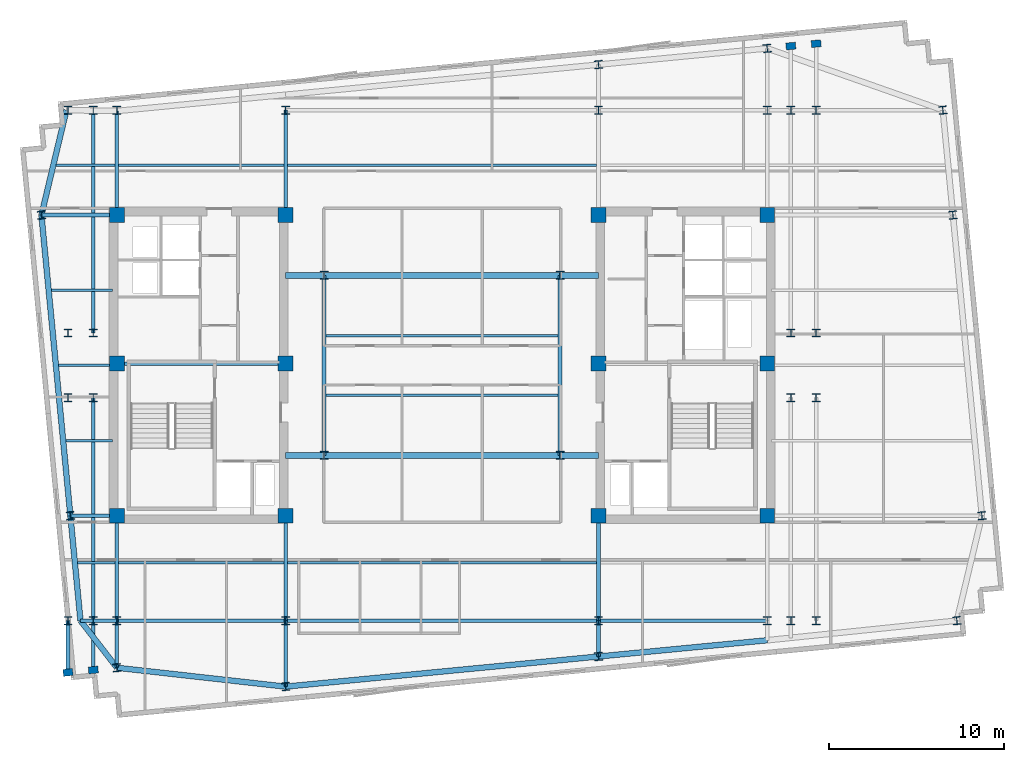
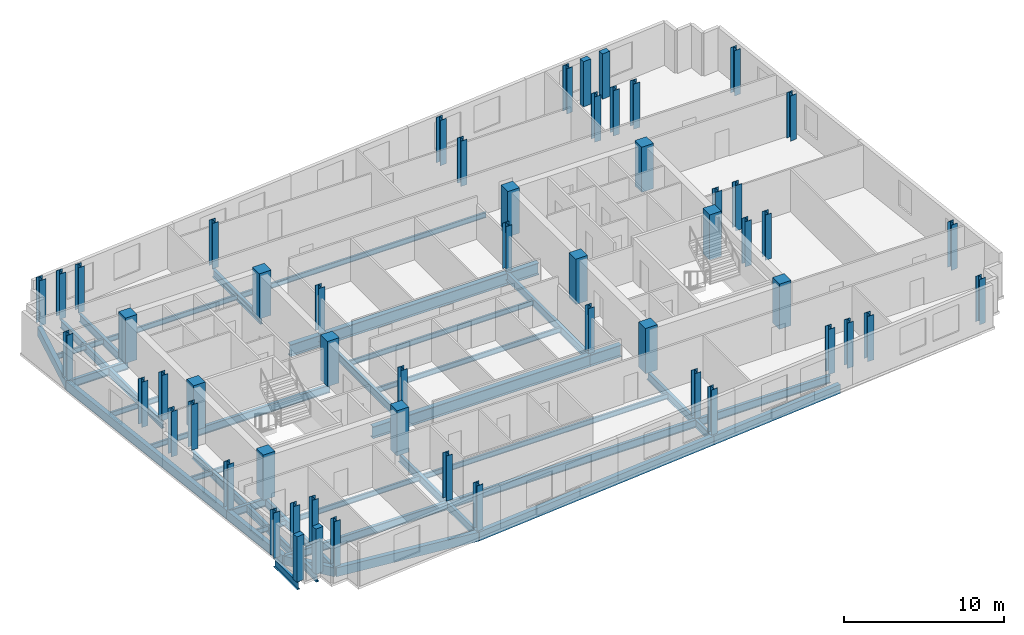
# One storey, part 1 of 9: 55 columns, 45 beams.
"""IFC4 building model written with IfcOpenShell, lengths in metres."""

import ifcopenshell
import ifcopenshell.guid

model = None  # the IFC model being written
_history = None  # IfcOwnerHistory: only IFC2X3 demands one
_inside = {}  # id of a spatial element -> (the spatial element, [elements in it])
_under = {}  # id of a project, library or spatial element -> (it, [spatial elements below it])
_declared = {}  # id of a project -> (the project, [libraries it declares])
_typed = {}  # id of a type object -> (the type object, [elements of that type])
_made_of = {}  # id of a material, layer set ... -> (it, [elements and type objects made of it])


def new_model(schema):
    """Start an empty IFC model of exactly this schema.

    Asked for "IFC4X3", IfcOpenShell would pick the latest addendum, in which some entities
    have other attributes; the version numbers below select the first issue.
    IFC2X3 requires an IfcOwnerHistory on every rooted entity: one is made here for all.
    """
    global model, _history
    if schema == "IFC4X3":
        model = ifcopenshell.file(schema_version=(4, 3, 0, 0))
    else:
        model = ifcopenshell.file(schema=schema)
    _inside.clear()
    _under.clear()
    _declared.clear()
    _typed.clear()
    _made_of.clear()
    _history = None
    if model.schema == "IFC2X3":
        org = make("IfcOrganization", Name="unknown")
        user = make(
            "IfcPersonAndOrganization",
            ThePerson=make("IfcPerson", FamilyName="unknown"),
            TheOrganization=org,
        )
        app = make(
            "IfcApplication",
            ApplicationDeveloper=org,
            Version="unknown",
            ApplicationFullName="unknown",
            ApplicationIdentifier="unknown",
        )
        _history = make(
            "IfcOwnerHistory",
            OwningUser=user,
            OwningApplication=app,
            ChangeAction="ADDED",
            CreationDate=0,
        )
    return model


def make(cls, **values):
    """One entity of the class cls with the attributes given. An attribute that is None is left unset."""
    return model.create_entity(
        cls, **{name: value for name, value in values.items() if value is not None}
    )


def rooted(cls, **values):
    """An entity with a GlobalId (a new one), such as an element, a storey or a relation."""
    return make(cls, GlobalId=ifcopenshell.guid.new(), OwnerHistory=_history, **values)


def si_unit(unit_type, name, prefix=None):
    """IfcSIUnit, for example si_unit("LENGTHUNIT", "METRE", prefix="MILLI")."""
    return make("IfcSIUnit", UnitType=unit_type, Prefix=prefix, Name=name)


def assignment(units):
    """IfcUnitAssignment: the units of a project."""
    return None if units is None else make("IfcUnitAssignment", Units=units)


def point(xyz):
    """IfcCartesianPoint."""
    return None if xyz is None else make("IfcCartesianPoint", Coordinates=xyz)


def direction(xyz):
    """IfcDirection."""
    return None if xyz is None else make("IfcDirection", DirectionRatios=xyz)


def frame(location, z_axis=None, x_axis=None):
    """IfcAxis2Placement3D, a coordinate frame: its origin and axes. An axis left out is left unset."""
    return make(
        "IfcAxis2Placement3D",
        Location=point(location),
        Axis=direction(z_axis),
        RefDirection=direction(x_axis),
    )


def frame_2d(location, x_axis=None):
    """IfcAxis2Placement2D, a coordinate frame in the plane: its origin and x axis."""
    return make(
        "IfcAxis2Placement2D", Location=point(location), RefDirection=direction(x_axis)
    )


def origin():
    """The frame at (0, 0, 0) with its axes left unset."""
    return frame((0.0, 0.0, 0.0))


def origin_2d():
    """The frame at (0, 0) in the plane with its x axis left unset."""
    return frame_2d((0.0, 0.0))


def place(relative_to, where):
    """IfcLocalPlacement: puts the frame where relative to a parent placement (None: the world)."""
    return make(
        "IfcLocalPlacement", PlacementRelTo=relative_to, RelativePlacement=where
    )


def context(
    kind, dimensions, precision=None, world=None, true_north=None, identifier=None
):
    """IfcGeometricRepresentationContext, for example the 3D "Model" context."""
    return make(
        "IfcGeometricRepresentationContext",
        ContextIdentifier=identifier,
        ContextType=kind,
        CoordinateSpaceDimension=dimensions,
        Precision=precision,
        WorldCoordinateSystem=world,
        TrueNorth=true_north,
    )


def subcontext(parent, identifier, kind, view, scale=None):
    """IfcGeometricRepresentationSubContext, for example "Body" below "Model"."""
    return make(
        "IfcGeometricRepresentationSubContext",
        ContextIdentifier=identifier,
        ContextType=kind,
        ParentContext=parent,
        TargetScale=scale,
        TargetView=view,
    )


def project(units=None, contexts=None):
    """IfcProject with its units and contexts."""
    return rooted(
        "IfcProject",
        Name="project",
        RepresentationContexts=contexts,
        UnitsInContext=assignment(units),
    )


def spatial(cls, under=None, at=None, **own):
    """A site, building, storey or space (cls), placed at a placement, below another one or the project."""
    s = rooted(cls, ObjectPlacement=at, **own)
    if under is not None:
        _under.setdefault(under.id(), (under, []))[1].append(s)
    return s


def profile(cls, at=None, kind="AREA", **sizes):
    """A parametric profile (cls). Its sizes go by their IFC names, for example OverallWidth=200.0."""
    return make(cls, ProfileType=kind, Position=at, **sizes)


def rectangle(**sizes):
    """IfcRectangleProfileDef."""
    return profile("IfcRectangleProfileDef", **sizes)


def i_section(**sizes):
    """IfcIShapeProfileDef."""
    return profile("IfcIShapeProfileDef", **sizes)


def extrude(swept, where, along, depth):
    """IfcExtrudedAreaSolid: the profile swept, set in the frame where, extruded along a direction by depth."""
    return make(
        "IfcExtrudedAreaSolid",
        SweptArea=swept,
        Position=where,
        ExtrudedDirection=direction(along),
        Depth=depth,
    )


def shape(context_of_items, identifier, shape_type, items):
    """IfcShapeRepresentation: the items that make up one representation, for example the "Body"."""
    return make(
        "IfcShapeRepresentation",
        ContextOfItems=context_of_items,
        RepresentationIdentifier=identifier,
        RepresentationType=shape_type,
        Items=items,
    )


def material(Name=None, Category=None):
    """IfcMaterial."""
    return make("IfcMaterial", Name=Name, Category=Category)


def material_profile(
    of_material, cross_section, Name=None, Category=None, Priority=None
):
    """IfcMaterialProfile: a cross section and its material."""
    return make(
        "IfcMaterialProfile",
        Name=Name,
        Material=of_material,
        Profile=cross_section,
        Priority=Priority,
        Category=Category,
    )


def profile_set(profiles, Name=None, composite=None):
    """IfcMaterialProfileSet."""
    return make(
        "IfcMaterialProfileSet",
        Name=Name,
        MaterialProfiles=profiles,
        CompositeProfile=composite,
    )


def made_of(thing, what):
    """Note that an element or type object is made of a material, layer set ...; save() writes the relation."""
    if what is not None:
        _made_of.setdefault(what.id(), (what, []))[1].append(thing)
    return thing


def type_object(cls, material=None, **own):
    """A type object (cls), such as IfcWallType, which elements share."""
    return made_of(rooted(cls, **own), material)


def element(
    cls,
    number,
    at=None,
    inside=None,
    cuts=None,
    type_object=None,
    material=None,
    context=None,
    identifier="Body",
    shape_type=None,
    held_by="IfcProductDefinitionShape",
    body=None,
    shapes=None,
    **own,
):
    """One element of the class cls, such as IfcWall. Its Tag is "e" and its number.

    at: its placement. inside: the storey or other place that contains it. cuts: it is an
    opening in that element (IfcRelVoidsElement). A single representation is given by context,
    identifier, shape_type and body (its items); several are given by shapes. held_by: the class
    of the entity that holds the representations. save() writes the other relations.
    """
    e = rooted(cls, Tag="e%d" % number, ObjectPlacement=at, **own)
    if body is not None:
        shapes = [shape(context, identifier, shape_type, body)]
    if shapes is not None:
        e.Representation = make(held_by, Representations=shapes)
    if inside is not None:
        _inside.setdefault(inside.id(), (inside, []))[1].append(e)
    if cuts is not None:
        rooted(
            "IfcRelVoidsElement", RelatingBuildingElement=cuts, RelatedOpeningElement=e
        )
    if type_object is not None:
        _typed.setdefault(type_object.id(), (type_object, []))[1].append(e)
    return made_of(e, material)


def aggregate(whole, parts):
    """IfcRelAggregates: a whole, such as a stair, and the parts it consists of."""
    return rooted("IfcRelAggregates", RelatingObject=whole, RelatedObjects=parts)


def save(model, path):
    """Write the relations noted so far, then the file.

    IfcRelAggregates (storeys below a building ...), IfcRelContainedInSpatialStructure (elements
    in a storey), IfcRelDefinesByType, IfcRelAssociatesMaterial and IfcRelDeclares: one each for
    every whole, place, type object, material and project.
    """
    for whole, parts in _under.values():
        aggregate(whole, parts)
    for where, things in _inside.values():
        rooted(
            "IfcRelContainedInSpatialStructure",
            RelatedElements=things,
            RelatingStructure=where,
        )
    for kind, things in _typed.values():
        rooted("IfcRelDefinesByType", RelatedObjects=things, RelatingType=kind)
    for what, things in _made_of.values():
        rooted("IfcRelAssociatesMaterial", RelatedObjects=things, RelatingMaterial=what)
    for by, libraries in _declared.values():
        rooted("IfcRelDeclares", RelatingContext=by, RelatedDefinitions=libraries)
    model.write(path)


model = new_model("IFC4")

# Units and contexts
model_context = context("Model", 3, precision=1e-05, world=origin(), true_north=direction((0.0, 1.0)))
body_context = subcontext(model_context, "Body", "Model", "MODEL_VIEW")
ifc_project = project(units=[si_unit("LENGTHUNIT", "METRE"), si_unit("AREAUNIT", "SQUARE_METRE"), si_unit("VOLUMEUNIT", "CUBIC_METRE"), si_unit("PLANEANGLEUNIT", "RADIAN"), si_unit("MASSUNIT", "GRAM", prefix="KILO")], contexts=[model_context])

# Site, building, storey
site_placement = place(None, origin())
site = spatial("IfcSite", under=ifc_project, at=site_placement, CompositionType="ELEMENT")
building_placement = place(site_placement, origin())
building = spatial("IfcBuilding", under=site, at=building_placement, Name="Velakula Bourse", CompositionType="ELEMENT")
storey_placement = place(building_placement, frame((0.0, 0.0, 272.39990234375)))
storey = spatial("IfcBuildingStorey", under=building, at=storey_placement, Name="L74", CompositionType="ELEMENT", Elevation=272.39990234375)

# Columns
ifc_material_1 = material(Name="Concrete M50 (fck 50 MPa)", Category="concrete")
ifc_material_profile_1 = material_profile(ifc_material_1, rectangle(XDim=0.85009765625, YDim=0.85009765625, at=origin_2d()), Name="Concrete M50 (fck 50 MPa)")
ifc_profile_set_1 = profile_set([ifc_material_profile_1], Name="Concrete M50 (fck 50 MPa)")
column_type_1 = type_object("IfcColumnType", Name="COL-RC-850", PredefinedType="COLUMN", material=ifc_profile_set_1)
for number, where, z_axis, x_axis, name in (
    (1, (-8.949951171875, -8.60009765625, 0.0), (0.0, 0.0, 1.0), (1.0, 0.0, 0.0), "L74 Core Boundary Column 01"),
    (2, (-8.949951171875, 0.10009765625, 0.0), (0.0, 0.0, 1.0), (1.0, 0.0, 0.0), "L74 Core Boundary Column 02"),
    (3, (-8.949951171875, 8.60009765625, 0.0), (0.0, 0.0, 1.0), (1.0, 0.0, 0.0), "L74 Core Boundary Column 03"),
    (4, (-18.60009765625, -8.60009765625, 0.0), (0.0, 0.0, 1.0), (1.0, 0.0, 0.0), "L74 Core Boundary Column 04"),
    (5, (-18.60009765625, 0.10009765625, 0.0), (0.0, 0.0, 1.0), (1.0, 0.0, 0.0), "L74 Core Boundary Column 05"),
    (6, (-18.60009765625, 8.60009765625, 0.0), (0.0, 0.0, 1.0), (1.0, 0.0, 0.0), "L74 Core Boundary Column 06"),
    (7, (8.949951171875, -8.60009765625, 0.0), (0.0, 0.0, 1.0), (1.0, 0.0, 0.0), "L74 Core Boundary Column 07"),
    (8, (8.949951171875, 0.10009765625, 0.0), (0.0, 0.0, 1.0), (1.0, 0.0, 0.0), "L74 Core Boundary Column 08"),
    (9, (8.949951171875, 8.60009765625, 0.0), (0.0, 0.0, 1.0), (1.0, 0.0, 0.0), "L74 Core Boundary Column 09"),
    (10, (18.60009765625, -8.60009765625, 0.0), (0.0, 0.0, 1.0), (1.0, 0.0, 0.0), "L74 Core Boundary Column 10"),
    (11, (18.60009765625, 0.10009765625, 0.0), (0.0, 0.0, 1.0), (1.0, 0.0, 0.0), "L74 Core Boundary Column 11"),
    (12, (18.60009765625, 8.60009765625, 0.0), (0.0, 0.0, 1.0), (1.0, 0.0, 0.0), "L74 Core Boundary Column 12"),
):
    element("IfcColumn", number, at=place(storey_placement, frame(where, z_axis=z_axis, x_axis=x_axis)), inside=storey, type_object=column_type_1, Name=name, PredefinedType="COLUMN", context=body_context, shape_type="SweptSolid", body=[
        extrude(rectangle(XDim=0.85009765625, YDim=0.85009765625, at=origin_2d()), origin(), (0.0, 0.0, 1.0), 3.4501953125),
    ])
ifc_material_2 = material(Name="Steel IS 2062 Grade 350 (E350)", Category="steel")
ifc_material_profile_2 = material_profile(ifc_material_2, i_section(OverallWidth=0.449951171875, OverallDepth=0.449951171875, WebThickness=0.02197265625, FlangeThickness=0.031982421875, at=origin_2d()), Name="Steel IS 2062 Grade 350 (E350)")
ifc_profile_set_2 = profile_set([ifc_material_profile_2], Name="Steel IS 2062 Grade 350 (E350)")
column_type_2 = type_object("IfcColumnType", Name="COL-STL-450", PredefinedType="COLUMN", material=ifc_profile_set_2)
for number, where, z_axis, x_axis, name in (
    (13, (-6.75, -5.14990234375, 0.0), (0.0, 0.0, 1.0), (1.0, 0.0, 0.0), "L74 Central Spine Column 01"),
    (14, (-6.75, 5.14990234375, 0.0), (0.0, 0.0, 1.0), (1.0, 0.0, 0.0), "L74 Central Spine Column 02"),
    (15, (6.75, -5.14990234375, 0.0), (0.0, 0.0, 1.0), (1.0, 0.0, 0.0), "L74 Central Spine Column 03"),
    (16, (6.75, 5.14990234375, 0.0), (0.0, 0.0, 1.0), (1.0, 0.0, 0.0), "L74 Central Spine Column 04"),
    (17, (-21.39990234375, -14.60009765625, 0.0), (0.0, 0.0, 1.0), (1.0, 0.0, 0.0), "L74 Tower Fulcrum Column 01"),
    (18, (-21.39990234375, 14.60009765625, 0.0), (0.0, 0.0, 1.0), (1.0, 0.0, 0.0), "L74 Tower Fulcrum Column 02"),
    (19, (-19.949951171875, -14.60009765625, 0.0), (0.0, 0.0, 1.0), (1.0, 0.0, 0.0), "L74 Tower Fulcrum Column 03"),
    (20, (-19.949951171875, 14.60009765625, 0.0), (0.0, 0.0, 1.0), (1.0, 0.0, 0.0), "L74 Tower Fulcrum Column 04"),
    (21, (-18.60009765625, -14.60009765625, 0.0), (0.0, 0.0, 1.0), (1.0, 0.0, 0.0), "L74 Tower Fulcrum Column 05"),
    (22, (-18.60009765625, 14.60009765625, 0.0), (0.0, 0.0, 1.0), (1.0, 0.0, 0.0), "L74 Tower Fulcrum Column 06"),
    (23, (-8.949951171875, -14.60009765625, 0.0), (0.0, 0.0, 1.0), (1.0, 0.0, 0.0), "L74 Tower Fulcrum Column 07"),
    (24, (-8.949951171875, 14.60009765625, 0.0), (0.0, 0.0, 1.0), (1.0, 0.0, 0.0), "L74 Tower Fulcrum Column 08"),
    (25, (8.949951171875, -14.60009765625, 0.0), (0.0, 0.0, 1.0), (1.0, 0.0, 0.0), "L74 Tower Fulcrum Column 09"),
    (26, (8.949951171875, 14.60009765625, 0.0), (0.0, 0.0, 1.0), (1.0, 0.0, 0.0), "L74 Tower Fulcrum Column 10"),
    (27, (18.60009765625, -14.60009765625, 0.0), (0.0, 0.0, 1.0), (1.0, 0.0, 0.0), "L74 Tower Fulcrum Column 11"),
    (28, (18.60009765625, 14.60009765625, 0.0), (0.0, 0.0, 1.0), (1.0, 0.0, 0.0), "L74 Tower Fulcrum Column 12"),
    (29, (19.949951171875, -14.60009765625, 0.0), (0.0, 0.0, 1.0), (1.0, 0.0, 0.0), "L74 Tower Fulcrum Column 13"),
    (30, (19.949951171875, 14.60009765625, 0.0), (0.0, 0.0, 1.0), (1.0, 0.0, 0.0), "L74 Tower Fulcrum Column 14"),
    (31, (21.39990234375, -14.60009765625, 0.0), (0.0, 0.0, 1.0), (1.0, 0.0, 0.0), "L74 Tower Fulcrum Column 15"),
    (32, (21.39990234375, 14.60009765625, 0.0), (0.0, 0.0, 1.0), (1.0, 0.0, 0.0), "L74 Tower Fulcrum Column 16"),
    (33, (-21.39990234375, -1.85009765625, 0.0), (0.0, 0.0, 1.0), (1.0, 0.0, 0.0), "L74 Tower Fulcrum Column 17"),
    (34, (-21.39990234375, 1.85009765625, 0.0), (0.0, 0.0, 1.0), (1.0, 0.0, 0.0), "L74 Tower Fulcrum Column 18"),
    (35, (-19.949951171875, -1.85009765625, 0.0), (0.0, 0.0, 1.0), (1.0, 0.0, 0.0), "L74 Tower Fulcrum Column 19"),
    (36, (-19.949951171875, 1.85009765625, 0.0), (0.0, 0.0, 1.0), (1.0, 0.0, 0.0), "L74 Tower Fulcrum Column 20"),
    (37, (19.949951171875, -1.85009765625, 0.0), (0.0, 0.0, 1.0), (1.0, 0.0, 0.0), "L74 Tower Fulcrum Column 21"),
    (38, (19.949951171875, 1.85009765625, 0.0), (0.0, 0.0, 1.0), (1.0, 0.0, 0.0), "L74 Tower Fulcrum Column 22"),
    (39, (21.39990234375, -1.85009765625, 0.0), (0.0, 0.0, 1.0), (1.0, 0.0, 0.0), "L74 Tower Fulcrum Column 23"),
    (40, (21.39990234375, 1.85009765625, 0.0), (0.0, 0.0, 1.0), (1.0, 0.0, 0.0), "L74 Tower Fulcrum Column 24"),
    (41, (-18.60009765625, -17.294921875, 0.0), (0.0, 0.0, 1.0), (0.995396198367, 0.09584575252, 0.0), "L74 Block B6 Perimeter Column S1"),
    (42, (-8.949951171875, -18.375, 0.0), (0.0, 0.0, 1.0), (0.995396198367, 0.09584575252, 0.0), "L74 Block B6 Perimeter Column S2"),
    (43, (8.949951171875, -16.6513671875, 0.0), (0.0, 0.0, 1.0), (0.995396198367, 0.09584575252, 0.0), "L74 Block B6 Perimeter Column S3"),
    (44, (8.949951171875, 17.20458984375, 0.0), (0.0, 0.0, 1.0), (0.995396198367, 0.09584575252, 0.0), "L74 Block B6 Perimeter Column N3"),
    (45, (18.60009765625, 18.1337890625, 0.0), (0.0, 0.0, 1.0), (0.995396198367, 0.09584575252, 0.0), "L74 Block B6 Perimeter Column N4"),
    (46, (-21.26123046875, -8.60009765625, 0.0), (0.0, 0.0, 1.0), (0.995396198367, 0.09584575252, 0.0), "L74 Block B6 Perimeter Column W2"),
    (47, (-22.91748046875, 8.60009765625, 0.0), (0.0, 0.0, 1.0), (0.995396198367, 0.09584575252, 0.0), "L74 Block B6 Perimeter Column W3"),
    (48, (29.447265625, -14.60009765625, 0.0), (0.0, 0.0, 1.0), (0.995396198367, 0.09584575252, 0.0), "L74 Block B6 Perimeter Column E1"),
    (49, (30.87890625, -8.60009765625, 0.0), (0.0, 0.0, 1.0), (0.995396198367, 0.09584575252, 0.0), "L74 Block B6 Perimeter Column E2"),
    (50, (29.22265625, 8.60009765625, 0.0), (0.0, 0.0, 1.0), (0.995396198367, 0.09584575252, 0.0), "L74 Block B6 Perimeter Column E3"),
    (51, (28.64501953125, 14.60009765625, 0.0), (0.0, 0.0, 1.0), (0.995396198367, 0.09584575252, 0.0), "L74 Block B6 Perimeter Column E4"),
):
    element("IfcColumn", number, at=place(storey_placement, frame(where, z_axis=z_axis, x_axis=x_axis)), inside=storey, type_object=column_type_2, Name=name, PredefinedType="COLUMN", context=body_context, shape_type="SweptSolid", body=[
        extrude(i_section(OverallWidth=0.449951171875, OverallDepth=0.449951171875, WebThickness=0.02197265625, FlangeThickness=0.031982421875, at=origin_2d()), origin(), (0.0, 0.0, 1.0), 3.4501953125),
    ])
ifc_material_3 = material(Name="Precast concrete M45 (fck 45 MPa)", Category="concrete")
ifc_material_profile_3 = material_profile(ifc_material_3, rectangle(XDim=0.550048828125, YDim=0.39990234375, at=origin_2d()), Name="Precast concrete M45 (fck 45 MPa)")
ifc_profile_set_3 = profile_set([ifc_material_profile_3], Name="Precast concrete M45 (fck 45 MPa)")
column_type_3 = type_object("IfcColumnType", Name="PIL-BRICK-550", PredefinedType="PILASTER", material=ifc_profile_set_3)
for number, where, z_axis, x_axis, name in (
    (52, (-21.39990234375, -17.564453125, 0.0), (0.0, 0.0, 1.0), (0.995396198367, 0.09584575252, 0.0), "L74 Brick Pier Pilaster 01"),
    (53, (-19.949951171875, -17.4248046875, 0.0), (0.0, 0.0, 1.0), (0.995396198367, 0.09584575252, 0.0), "L74 Brick Pier Pilaster 02"),
    (54, (19.949951171875, 18.263671875, 0.0), (0.0, 0.0, 1.0), (0.995396198367, 0.09584575252, 0.0), "L74 Brick Pier Pilaster 07"),
    (55, (21.39990234375, 18.4033203125, 0.0), (0.0, 0.0, 1.0), (0.995396198367, 0.09584575252, 0.0), "L74 Brick Pier Pilaster 08"),
):
    element("IfcColumn", number, at=place(storey_placement, frame(where, z_axis=z_axis, x_axis=x_axis)), inside=storey, type_object=column_type_3, Name=name, PredefinedType="PILASTER", context=body_context, shape_type="SweptSolid", body=[
        extrude(rectangle(XDim=0.550048828125, YDim=0.39990234375, at=origin_2d()), origin(), (0.0, 0.0, 1.0), 3.4501953125),
    ])

# Beams
ifc_material_profile_4 = material_profile(ifc_material_2, i_section(OverallWidth=0.2099609375, OverallDepth=0.60009765625, WebThickness=0.011962890625, FlangeThickness=0.020751953125, at=origin_2d()), Name="Steel IS 2062 Grade 350 (E350)")
ifc_profile_set_4 = profile_set([ifc_material_profile_4], Name="Steel IS 2062 Grade 350 (E350)")
beam_type_1 = type_object("IfcBeamType", Name="BM-GRD-600L", PredefinedType="BEAM", material=ifc_profile_set_4)
beam_1_placement = place(storey_placement, frame((-18.60009765625, 0.10009765625, -0.47998046875), z_axis=(1.0, 0.0, 0.0), x_axis=(0.0, 1.0, 0.0)))
element("IfcBeam", 56, at=beam_1_placement, inside=storey, type_object=beam_type_1, Name="L74 Primary Backbone Girder CRW-M", PredefinedType="BEAM", context=body_context, shape_type="SweptSolid", body=[
    extrude(i_section(OverallWidth=0.2099609375, OverallDepth=0.60009765625, WebThickness=0.011962890625, FlangeThickness=0.020751953125, at=origin_2d()), origin(), (0.0, 0.0, 1.0), 9.650146484375),
])
for number, where, z_axis, x_axis, name in (
    (57, (-6.75, -5.14990234375, -0.47998046875), (0.0, 1.0, 0.0), (-1.0, 0.0, 0.0), "L74 Primary Backbone Girder SPN-W"),
    (58, (6.75, -5.14990234375, -0.47998046875), (0.0, 1.0, 0.0), (-1.0, 0.0, 0.0), "L74 Primary Backbone Girder SPN-E"),
):
    element("IfcBeam", number, at=place(storey_placement, frame(where, z_axis=z_axis, x_axis=x_axis)), inside=storey, type_object=beam_type_1, Name=name, PredefinedType="BEAM", context=body_context, shape_type="SweptSolid", body=[
        extrude(i_section(OverallWidth=0.2099609375, OverallDepth=0.60009765625, WebThickness=0.011962890625, FlangeThickness=0.020751953125, at=origin_2d()), origin(), (0.0, 0.0, 1.0), 10.2998046875),
    ])
beam_2_placement = place(storey_placement, frame((-18.60009765625, -14.60009765625, -0.47998046875), z_axis=(0.0, 1.0, 0.0), x_axis=(-1.0, 0.0, 0.0)))
element("IfcBeam", 59, at=beam_2_placement, inside=storey, type_object=beam_type_1, Name="L74 Fulcrum Grid Girder FLC-WS", PredefinedType="BEAM", context=body_context, shape_type="SweptSolid", body=[
    extrude(i_section(OverallWidth=0.2099609375, OverallDepth=0.60009765625, WebThickness=0.011962890625, FlangeThickness=0.020751953125, at=origin_2d()), origin(), (0.0, 0.0, 1.0), 6.0),
])
beam_3_placement = place(storey_placement, frame((-18.60009765625, 8.60009765625, -0.47998046875), z_axis=(0.0, 1.0, 0.0), x_axis=(-1.0, 0.0, 0.0)))
element("IfcBeam", 60, at=beam_3_placement, inside=storey, type_object=beam_type_1, Name="L74 Fulcrum Grid Girder FLC-WN", PredefinedType="BEAM", context=body_context, shape_type="SweptSolid", body=[
    extrude(i_section(OverallWidth=0.2099609375, OverallDepth=0.60009765625, WebThickness=0.011962890625, FlangeThickness=0.020751953125, at=origin_2d()), origin(), (0.0, 0.0, 1.0), 5.95166015625),
])
for number, where, z_axis, x_axis, name in (
    (61, (-8.949951171875, -14.60009765625, -0.47998046875), (0.0, 1.0, 0.0), (-1.0, 0.0, 0.0), "L74 Fulcrum Grid Girder FLC-WCS"),
    (62, (-8.949951171875, 8.60009765625, -0.47998046875), (0.0, 1.0, 0.0), (-1.0, 0.0, 0.0), "L74 Fulcrum Grid Girder FLC-WCN"),
    (63, (8.949951171875, -14.60009765625, -0.47998046875), (0.0, 1.0, 0.0), (-1.0, 0.0, 0.0), "L74 Fulcrum Grid Girder FLC-ECS"),
):
    element("IfcBeam", number, at=place(storey_placement, frame(where, z_axis=z_axis, x_axis=x_axis)), inside=storey, type_object=beam_type_1, Name=name, PredefinedType="BEAM", context=body_context, shape_type="SweptSolid", body=[
        extrude(i_section(OverallWidth=0.2099609375, OverallDepth=0.60009765625, WebThickness=0.011962890625, FlangeThickness=0.020751953125, at=origin_2d()), origin(), (0.0, 0.0, 1.0), 6.0),
    ])
beam_4_placement = place(storey_placement, frame((-18.60009765625, -14.60009765625, -0.47998046875), z_axis=(1.0, 0.0, 0.0), x_axis=(0.0, 1.0, 0.0)))
element("IfcBeam", 64, at=beam_4_placement, inside=storey, type_object=beam_type_1, Name="L74 Fulcrum Grid Girder FLC-S1", PredefinedType="BEAM", context=body_context, shape_type="SweptSolid", body=[
    extrude(i_section(OverallWidth=0.2099609375, OverallDepth=0.60009765625, WebThickness=0.011962890625, FlangeThickness=0.020751953125, at=origin_2d()), origin(), (0.0, 0.0, 1.0), 9.650146484375),
])
beam_5_placement = place(storey_placement, frame((-8.949951171875, -14.60009765625, -0.47998046875), z_axis=(1.0, 0.0, 0.0), x_axis=(0.0, 1.0, 0.0)))
element("IfcBeam", 65, at=beam_5_placement, inside=storey, type_object=beam_type_1, Name="L74 Fulcrum Grid Girder FLC-S2", PredefinedType="BEAM", context=body_context, shape_type="SweptSolid", body=[
    extrude(i_section(OverallWidth=0.2099609375, OverallDepth=0.60009765625, WebThickness=0.011962890625, FlangeThickness=0.020751953125, at=origin_2d()), origin(), (0.0, 0.0, 1.0), 17.89990234375),
])
beam_6_placement = place(storey_placement, frame((8.949951171875, -14.60009765625, -0.47998046875), z_axis=(1.0, 0.0, 0.0), x_axis=(0.0, 1.0, 0.0)))
element("IfcBeam", 66, at=beam_6_placement, inside=storey, type_object=beam_type_1, Name="L74 Fulcrum Grid Girder FLC-S3", PredefinedType="BEAM", context=body_context, shape_type="SweptSolid", body=[
    extrude(i_section(OverallWidth=0.2099609375, OverallDepth=0.60009765625, WebThickness=0.011962890625, FlangeThickness=0.020751953125, at=origin_2d()), origin(), (0.0, 0.0, 1.0), 9.650146484375),
])
beam_7_placement = place(storey_placement, frame((-19.949951171875, -14.60009765625, -0.47998046875), z_axis=(0.0, 1.0, 0.0), x_axis=(-1.0, 0.0, 0.0)))
element("IfcBeam", 67, at=beam_7_placement, inside=storey, type_object=beam_type_1, Name="L74 Fulcrum Grid Girder FLC-PSW2", PredefinedType="BEAM", context=body_context, shape_type="SweptSolid", body=[
    extrude(i_section(OverallWidth=0.2099609375, OverallDepth=0.60009765625, WebThickness=0.011962890625, FlangeThickness=0.020751953125, at=origin_2d()), origin(), (0.0, 0.0, 1.0), 12.75),
])
beam_8_placement = place(storey_placement, frame((-19.949951171875, 1.85009765625, -0.47998046875), z_axis=(0.0, 1.0, 0.0), x_axis=(-1.0, 0.0, 0.0)))
element("IfcBeam", 68, at=beam_8_placement, inside=storey, type_object=beam_type_1, Name="L74 Fulcrum Grid Girder FLC-PNW2", PredefinedType="BEAM", context=body_context, shape_type="SweptSolid", body=[
    extrude(i_section(OverallWidth=0.2099609375, OverallDepth=0.60009765625, WebThickness=0.011962890625, FlangeThickness=0.020751953125, at=origin_2d()), origin(), (0.0, 0.0, 1.0), 12.72412109375),
])
beam_9_placement = place(storey_placement, frame((-18.60009765625, -14.60009765625, -0.47998046875), z_axis=(0.0, -1.0, 0.0), x_axis=(1.0, 0.0, 0.0)))
element("IfcBeam", 69, at=beam_9_placement, inside=storey, type_object=beam_type_1, Name="L74 Perimeter Tie Girder S1", PredefinedType="BEAM", context=body_context, shape_type="SweptSolid", body=[
    extrude(i_section(OverallWidth=0.2099609375, OverallDepth=0.60009765625, WebThickness=0.011962890625, FlangeThickness=0.020751953125, at=origin_2d()), origin(), (0.0, 0.0, 1.0), 2.69482421875),
])
beam_10_placement = place(storey_placement, frame((-8.949951171875, -14.60009765625, -0.47998046875), z_axis=(0.0, -1.0, 0.0), x_axis=(1.0, 0.0, 0.0)))
element("IfcBeam", 70, at=beam_10_placement, inside=storey, type_object=beam_type_1, Name="L74 Perimeter Tie Girder S2", PredefinedType="BEAM", context=body_context, shape_type="SweptSolid", body=[
    extrude(i_section(OverallWidth=0.2099609375, OverallDepth=0.60009765625, WebThickness=0.011962890625, FlangeThickness=0.020751953125, at=origin_2d()), origin(), (0.0, 0.0, 1.0), 3.77490234375),
])
beam_11_placement = place(storey_placement, frame((8.949951171875, -14.60009765625, -0.47998046875), z_axis=(0.0, -1.0, 0.0), x_axis=(1.0, 0.0, 0.0)))
element("IfcBeam", 71, at=beam_11_placement, inside=storey, type_object=beam_type_1, Name="L74 Perimeter Tie Girder S3", PredefinedType="BEAM", context=body_context, shape_type="SweptSolid", body=[
    extrude(i_section(OverallWidth=0.2099609375, OverallDepth=0.60009765625, WebThickness=0.011962890625, FlangeThickness=0.020751953125, at=origin_2d()), origin(), (0.0, 0.0, 1.0), 2.05126953125),
])
beam_12_placement = place(storey_placement, frame((-18.60009765625, -14.60009765625, -0.47998046875), z_axis=(-1.0, 0.0, 0.0), x_axis=(0.0, -1.0, 0.0)))
element("IfcBeam", 72, at=beam_12_placement, inside=storey, type_object=beam_type_1, Name="L74 Perimeter Tie Girder W1", PredefinedType="BEAM", context=body_context, shape_type="SweptSolid", body=[
    extrude(i_section(OverallWidth=0.2099609375, OverallDepth=0.60009765625, WebThickness=0.011962890625, FlangeThickness=0.020751953125, at=origin_2d()), origin(), (0.0, 0.0, 1.0), 2.08349609375),
])
beam_13_placement = place(storey_placement, frame((-18.60009765625, -8.60009765625, -0.47998046875), z_axis=(-1.0, 0.0, 0.0), x_axis=(0.0, -1.0, 0.0)))
element("IfcBeam", 73, at=beam_13_placement, inside=storey, type_object=beam_type_1, Name="L74 Perimeter Tie Girder W2", PredefinedType="BEAM", context=body_context, shape_type="SweptSolid", body=[
    extrude(i_section(OverallWidth=0.2099609375, OverallDepth=0.60009765625, WebThickness=0.011962890625, FlangeThickness=0.020751953125, at=origin_2d()), origin(), (0.0, 0.0, 1.0), 2.6611328125),
])
beam_14_placement = place(storey_placement, frame((-18.60009765625, 8.60009765625, -0.47998046875), z_axis=(-1.0, 0.0, 0.0), x_axis=(0.0, -1.0, 0.0)))
element("IfcBeam", 74, at=beam_14_placement, inside=storey, type_object=beam_type_1, Name="L74 Perimeter Tie Girder W3", PredefinedType="BEAM", context=body_context, shape_type="SweptSolid", body=[
    extrude(i_section(OverallWidth=0.2099609375, OverallDepth=0.60009765625, WebThickness=0.011962890625, FlangeThickness=0.020751953125, at=origin_2d()), origin(), (0.0, 0.0, 1.0), 4.3173828125),
])
beam_15_placement = place(storey_placement, frame((-21.39990234375, -14.60009765625, -0.47998046875), z_axis=(0.0, -1.0, 0.0), x_axis=(1.0, 0.0, 0.0)))
element("IfcBeam", 75, at=beam_15_placement, inside=storey, type_object=beam_type_1, Name="L74 Perimeter Tie Girder P01", PredefinedType="BEAM", context=body_context, shape_type="SweptSolid", body=[
    extrude(i_section(OverallWidth=0.2099609375, OverallDepth=0.60009765625, WebThickness=0.011962890625, FlangeThickness=0.020751953125, at=origin_2d()), origin(), (0.0, 0.0, 1.0), 2.96435546875),
])
beam_16_placement = place(storey_placement, frame((-19.949951171875, -14.60009765625, -0.47998046875), z_axis=(0.0, -1.0, 0.0), x_axis=(1.0, 0.0, 0.0)))
element("IfcBeam", 76, at=beam_16_placement, inside=storey, type_object=beam_type_1, Name="L74 Perimeter Tie Girder P02", PredefinedType="BEAM", context=body_context, shape_type="SweptSolid", body=[
    extrude(i_section(OverallWidth=0.2099609375, OverallDepth=0.60009765625, WebThickness=0.011962890625, FlangeThickness=0.020751953125, at=origin_2d()), origin(), (0.0, 0.0, 1.0), 2.82470703125),
])
ifc_material_profile_5 = material_profile(ifc_material_2, i_section(OverallWidth=0.35009765625, OverallDepth=0.89990234375, WebThickness=0.02001953125, FlangeThickness=0.031982421875, at=origin_2d()), Name="Steel IS 2062 Grade 350 (E350)")
ifc_profile_set_5 = profile_set([ifc_material_profile_5], Name="Steel IS 2062 Grade 350 (E350)")
beam_type_2 = type_object("IfcBeamType", Name="BM-LNK-900", PredefinedType="BEAM", material=ifc_profile_set_5)
beam_17_placement = place(storey_placement, frame((-8.949951171875, -5.14990234375, -0.6298828125), z_axis=(1.0, 0.0, 0.0), x_axis=(0.0, 1.0, 0.0)))
element("IfcBeam", 77, at=beam_17_placement, inside=storey, type_object=beam_type_2, Name="L74 Primary Backbone Girder LNK-S1", PredefinedType="BEAM", context=body_context, shape_type="SweptSolid", body=[
    extrude(i_section(OverallWidth=0.35009765625, OverallDepth=0.89990234375, WebThickness=0.02001953125, FlangeThickness=0.031982421875, at=origin_2d()), origin(), (0.0, 0.0, 1.0), 2.199951171875),
])
beam_18_placement = place(storey_placement, frame((-6.75, -5.14990234375, -0.6298828125), z_axis=(1.0, 0.0, 0.0), x_axis=(0.0, 1.0, 0.0)))
element("IfcBeam", 78, at=beam_18_placement, inside=storey, type_object=beam_type_2, Name="L74 Primary Backbone Girder LNK-S2", PredefinedType="BEAM", context=body_context, shape_type="SweptSolid", body=[
    extrude(i_section(OverallWidth=0.35009765625, OverallDepth=0.89990234375, WebThickness=0.02001953125, FlangeThickness=0.031982421875, at=origin_2d()), origin(), (0.0, 0.0, 1.0), 13.5),
])
for number, where, z_axis, x_axis, name in (
    (79, (6.75, -5.14990234375, -0.6298828125), (1.0, 0.0, 0.0), (0.0, 1.0, 0.0), "L74 Primary Backbone Girder LNK-S3"),
    (80, (-8.949951171875, 5.14990234375, -0.6298828125), (1.0, 0.0, 0.0), (0.0, 1.0, 0.0), "L74 Primary Backbone Girder LNK-N1"),
):
    element("IfcBeam", number, at=place(storey_placement, frame(where, z_axis=z_axis, x_axis=x_axis)), inside=storey, type_object=beam_type_2, Name=name, PredefinedType="BEAM", context=body_context, shape_type="SweptSolid", body=[
        extrude(i_section(OverallWidth=0.35009765625, OverallDepth=0.89990234375, WebThickness=0.02001953125, FlangeThickness=0.031982421875, at=origin_2d()), origin(), (0.0, 0.0, 1.0), 2.199951171875),
    ])
beam_19_placement = place(storey_placement, frame((-6.75, 5.14990234375, -0.6298828125), z_axis=(1.0, 0.0, 0.0), x_axis=(0.0, 1.0, 0.0)))
element("IfcBeam", 81, at=beam_19_placement, inside=storey, type_object=beam_type_2, Name="L74 Primary Backbone Girder LNK-N2", PredefinedType="BEAM", context=body_context, shape_type="SweptSolid", body=[
    extrude(i_section(OverallWidth=0.35009765625, OverallDepth=0.89990234375, WebThickness=0.02001953125, FlangeThickness=0.031982421875, at=origin_2d()), origin(), (0.0, 0.0, 1.0), 13.5),
])
beam_20_placement = place(storey_placement, frame((6.75, 5.14990234375, -0.6298828125), z_axis=(1.0, 0.0, 0.0), x_axis=(0.0, 1.0, 0.0)))
element("IfcBeam", 82, at=beam_20_placement, inside=storey, type_object=beam_type_2, Name="L74 Primary Backbone Girder LNK-N3", PredefinedType="BEAM", context=body_context, shape_type="SweptSolid", body=[
    extrude(i_section(OverallWidth=0.35009765625, OverallDepth=0.89990234375, WebThickness=0.02001953125, FlangeThickness=0.031982421875, at=origin_2d()), origin(), (0.0, 0.0, 1.0), 2.199951171875),
])
ifc_material_profile_6 = material_profile(ifc_material_2, i_section(OverallWidth=0.139892578125, OverallDepth=0.39990234375, WebThickness=0.0087890625, FlangeThickness=0.01611328125, at=origin_2d()), Name="Steel IS 2062 Grade 350 (E350)")
ifc_profile_set_6 = profile_set([ifc_material_profile_6], Name="Steel IS 2062 Grade 350 (E350)")
beam_type_3 = type_object("IfcBeamType", Name="JST-TWR-400", PredefinedType="JOIST", material=ifc_profile_set_6)
beam_21_placement = place(storey_placement, frame((-20.840576171875, -11.300048828125, -0.3798828125), z_axis=(1.0, 0.0, 0.0), x_axis=(0.0, 1.0, 0.0)))
element("IfcBeam", 83, at=beam_21_placement, inside=storey, type_object=beam_type_3, Name="L74 Trading Floor Composite Joist 03", PredefinedType="JOIST", context=body_context, shape_type="SweptSolid", body=[
    extrude(i_section(OverallWidth=0.139892578125, OverallDepth=0.39990234375, WebThickness=0.0087890625, FlangeThickness=0.01611328125, at=origin_2d()), origin(), (0.0, 0.0, 1.0), 2.135498046875),
])
beam_22_placement = place(storey_placement, frame((-18.4951171875, -11.300048828125, -0.3798828125), z_axis=(1.0, 0.0, 0.0), x_axis=(0.0, 1.0, 0.0)))
element("IfcBeam", 84, at=beam_22_placement, inside=storey, type_object=beam_type_3, Name="L74 Trading Floor Composite Joist 04", PredefinedType="JOIST", context=body_context, shape_type="SweptSolid", body=[
    extrude(i_section(OverallWidth=0.139892578125, OverallDepth=0.39990234375, WebThickness=0.0087890625, FlangeThickness=0.01611328125, at=origin_2d()), origin(), (0.0, 0.0, 1.0), 9.440185546875),
])
beam_23_placement = place(storey_placement, frame((-8.844970703125, -11.300048828125, -0.3798828125), z_axis=(1.0, 0.0, 0.0), x_axis=(0.0, 1.0, 0.0)))
element("IfcBeam", 85, at=beam_23_placement, inside=storey, type_object=beam_type_3, Name="L74 Trading Floor Composite Joist 05", PredefinedType="JOIST", context=body_context, shape_type="SweptSolid", body=[
    extrude(i_section(OverallWidth=0.139892578125, OverallDepth=0.39990234375, WebThickness=0.0087890625, FlangeThickness=0.01611328125, at=origin_2d()), origin(), (0.0, 0.0, 1.0), 17.68994140625),
])
beam_24_placement = place(storey_placement, frame((-22.072998046875, 11.449951171875, -0.3798828125), z_axis=(1.0, 0.0, 0.0), x_axis=(0.0, 1.0, 0.0)))
element("IfcBeam", 86, at=beam_24_placement, inside=storey, type_object=beam_type_3, Name="L74 Trading Floor Composite Joist 08", PredefinedType="JOIST", context=body_context, shape_type="SweptSolid", body=[
    extrude(i_section(OverallWidth=0.139892578125, OverallDepth=0.39990234375, WebThickness=0.0087890625, FlangeThickness=0.01611328125, at=origin_2d()), origin(), (0.0, 0.0, 1.0), 3.367919921875),
])
beam_25_placement = place(storey_placement, frame((-18.4951171875, 11.449951171875, -0.3798828125), z_axis=(1.0, 0.0, 0.0), x_axis=(0.0, 1.0, 0.0)))
element("IfcBeam", 87, at=beam_25_placement, inside=storey, type_object=beam_type_3, Name="L74 Trading Floor Composite Joist 09", PredefinedType="JOIST", context=body_context, shape_type="SweptSolid", body=[
    extrude(i_section(OverallWidth=0.139892578125, OverallDepth=0.39990234375, WebThickness=0.0087890625, FlangeThickness=0.01611328125, at=origin_2d()), origin(), (0.0, 0.0, 1.0), 9.440185546875),
])
beam_26_placement = place(storey_placement, frame((-8.844970703125, 11.449951171875, -0.3798828125), z_axis=(1.0, 0.0, 0.0), x_axis=(0.0, 1.0, 0.0)))
element("IfcBeam", 88, at=beam_26_placement, inside=storey, type_object=beam_type_3, Name="L74 Trading Floor Composite Joist 10", PredefinedType="JOIST", context=body_context, shape_type="SweptSolid", body=[
    extrude(i_section(OverallWidth=0.139892578125, OverallDepth=0.39990234375, WebThickness=0.0087890625, FlangeThickness=0.01611328125, at=origin_2d()), origin(), (0.0, 0.0, 1.0), 17.68994140625),
])
for number, where, z_axis, x_axis, name in (
    (89, (-6.64501953125, -1.699951171875, -0.3798828125), (1.0, 0.0, 0.0), (0.0, 1.0, 0.0), "L74 Trading Floor Composite Joist 14"),
    (90, (-6.64501953125, 1.699951171875, -0.3798828125), (1.0, 0.0, 0.0), (0.0, 1.0, 0.0), "L74 Trading Floor Composite Joist 15"),
):
    element("IfcBeam", number, at=place(storey_placement, frame(where, z_axis=z_axis, x_axis=x_axis)), inside=storey, type_object=beam_type_3, Name=name, PredefinedType="JOIST", context=body_context, shape_type="SweptSolid", body=[
        extrude(i_section(OverallWidth=0.139892578125, OverallDepth=0.39990234375, WebThickness=0.0087890625, FlangeThickness=0.01611328125, at=origin_2d()), origin(), (0.0, 0.0, 1.0), 13.2900390625),
    ])
beam_27_placement = place(storey_placement, frame((-21.514404296875, -4.300048828125, -0.3798828125), z_axis=(1.0, 0.0, 0.0), x_axis=(0.0, 1.0, 0.0)))
element("IfcBeam", 91, at=beam_27_placement, inside=storey, type_object=beam_type_3, Name="L74 Trading Floor Composite Joist 16", PredefinedType="JOIST", context=body_context, shape_type="SweptSolid", body=[
    extrude(i_section(OverallWidth=0.139892578125, OverallDepth=0.39990234375, WebThickness=0.0087890625, FlangeThickness=0.01611328125, at=origin_2d()), origin(), (0.0, 0.0, 1.0), 2.664306640625),
])
beam_28_placement = place(storey_placement, frame((-21.9287109375, 0.0, -0.3798828125), z_axis=(1.0, 0.0, 0.0), x_axis=(0.0, 1.0, 0.0)))
element("IfcBeam", 92, at=beam_28_placement, inside=storey, type_object=beam_type_3, Name="L74 Trading Floor Composite Joist 18", PredefinedType="JOIST", context=body_context, shape_type="SweptSolid", body=[
    extrude(i_section(OverallWidth=0.139892578125, OverallDepth=0.39990234375, WebThickness=0.0087890625, FlangeThickness=0.01611328125, at=origin_2d()), origin(), (0.0, 0.0, 1.0), 3.07861328125),
])
beam_29_placement = place(storey_placement, frame((-22.342529296875, 4.300048828125, -0.3798828125), z_axis=(1.0, 0.0, 0.0), x_axis=(0.0, 1.0, 0.0)))
element("IfcBeam", 93, at=beam_29_placement, inside=storey, type_object=beam_type_3, Name="L74 Trading Floor Composite Joist 20", PredefinedType="JOIST", context=body_context, shape_type="SweptSolid", body=[
    extrude(i_section(OverallWidth=0.139892578125, OverallDepth=0.39990234375, WebThickness=0.0087890625, FlangeThickness=0.01611328125, at=origin_2d()), origin(), (0.0, 0.0, 1.0), 3.492431640625),
])
ifc_material_profile_7 = material_profile(ifc_material_3, rectangle(XDim=0.320068359375, YDim=0.679931640625, at=origin_2d()), Name="Precast concrete M45 (fck 45 MPa)")
ifc_profile_set_7 = profile_set([ifc_material_profile_7], Name="Precast concrete M45 (fck 45 MPa)")
beam_type_4 = type_object("IfcBeamType", Name="SPN-BRICK-680", PredefinedType="SPANDREL", material=ifc_profile_set_7)
beam_30_placement = place(storey_placement, frame((-18.60009765625, -17.294921875, -0.52001953125), z_axis=(0.993794803874, -0.111228988093, 0.0), x_axis=(0.111228988093, 0.993794803874, 0.0)))
element("IfcBeam", 94, at=beam_30_placement, inside=storey, type_object=beam_type_4, Name="L74 Brick-Faced Precast Spandrel S1-S2", PredefinedType="SPANDREL", context=body_context, shape_type="SweptSolid", body=[
    extrude(rectangle(XDim=0.320068359375, YDim=0.679931640625, at=origin_2d()), origin(), (0.0, 0.0, 1.0), 9.71044921875),
])
beam_31_placement = place(storey_placement, frame((-8.949951171875, -18.375, -0.52001953125), z_axis=(0.995395836254, 0.095849513134, 0.0), x_axis=(-0.095849513134, 0.995395836254, 0.0)))
element("IfcBeam", 95, at=beam_31_placement, inside=storey, type_object=beam_type_4, Name="L74 Brick-Faced Precast Spandrel S2-S3", PredefinedType="SPANDREL", context=body_context, shape_type="SweptSolid", body=[
    extrude(rectangle(XDim=0.320068359375, YDim=0.679931640625, at=origin_2d()), origin(), (0.0, 0.0, 1.0), 17.982666015625),
])
beam_32_placement = place(storey_placement, frame((8.949951171875, -16.6513671875, -0.52001953125), z_axis=(0.99539623971, 0.095845323155, 0.0), x_axis=(-0.095845323155, 0.99539623971, 0.0)))
element("IfcBeam", 96, at=beam_32_placement, inside=storey, type_object=beam_type_4, Name="L74 Brick-Faced Precast Spandrel S3-S4", PredefinedType="SPANDREL", context=body_context, shape_type="SweptSolid", body=[
    extrude(rectangle(XDim=0.320068359375, YDim=0.679931640625, at=origin_2d()), origin(), (0.0, 0.0, 1.0), 9.69482421875),
])
beam_33_placement = place(storey_placement, frame((-20.68359375, -14.60009765625, -0.52001953125), z_axis=(-0.095829714309, 0.995397742541, 0.0), x_axis=(-0.995397742541, -0.095829714309, 0.0)))
element("IfcBeam", 97, at=beam_33_placement, inside=storey, type_object=beam_type_4, Name="L74 Brick-Faced Precast Spandrel W1-W2", PredefinedType="SPANDREL", context=body_context, shape_type="SweptSolid", body=[
    extrude(rectangle(XDim=0.320068359375, YDim=0.679931640625, at=origin_2d()), origin(), (0.0, 0.0, 1.0), 6.02783203125),
])
beam_34_placement = place(storey_placement, frame((-21.26123046875, -8.60009765625, -0.52001953125), z_axis=(-0.095849167925, 0.995395869495, 0.0), x_axis=(-0.995395869495, -0.095849167925, 0.0)))
element("IfcBeam", 98, at=beam_34_placement, inside=storey, type_object=beam_type_4, Name="L74 Brick-Faced Precast Spandrel W2-W3", PredefinedType="SPANDREL", context=body_context, shape_type="SweptSolid", body=[
    extrude(rectangle(XDim=0.320068359375, YDim=0.679931640625, at=origin_2d()), origin(), (0.0, 0.0, 1.0), 17.27978515625),
])
beam_35_placement = place(storey_placement, frame((-22.91748046875, 8.60009765625, -0.52001953125), z_axis=(0.232091371601, 0.972693988482, 0.0), x_axis=(-0.972693988482, 0.232091371601, 0.0)))
element("IfcBeam", 99, at=beam_35_placement, inside=storey, type_object=beam_type_4, Name="L74 Brick-Faced Precast Spandrel W3-W4", PredefinedType="SPANDREL", context=body_context, shape_type="SweptSolid", body=[
    extrude(rectangle(XDim=0.320068359375, YDim=0.679931640625, at=origin_2d()), origin(), (0.0, 0.0, 1.0), 6.16845703125),
])
beam_36_placement = place(storey_placement, frame((-20.68359375, -14.60009765625, -0.52001953125), z_axis=(0.61165554427, -0.791124197053, 0.0), x_axis=(0.791124197053, 0.61165554427, 0.0)))
element("IfcBeam", 100, at=beam_36_placement, inside=storey, type_object=beam_type_4, Name="L74 Brick-Faced Precast Spandrel W1-S1", PredefinedType="SPANDREL", context=body_context, shape_type="SweptSolid", body=[
    extrude(rectangle(XDim=0.320068359375, YDim=0.679931640625, at=origin_2d()), origin(), (0.0, 0.0, 1.0), 3.40625),
])

save(model, "model.ifc")
